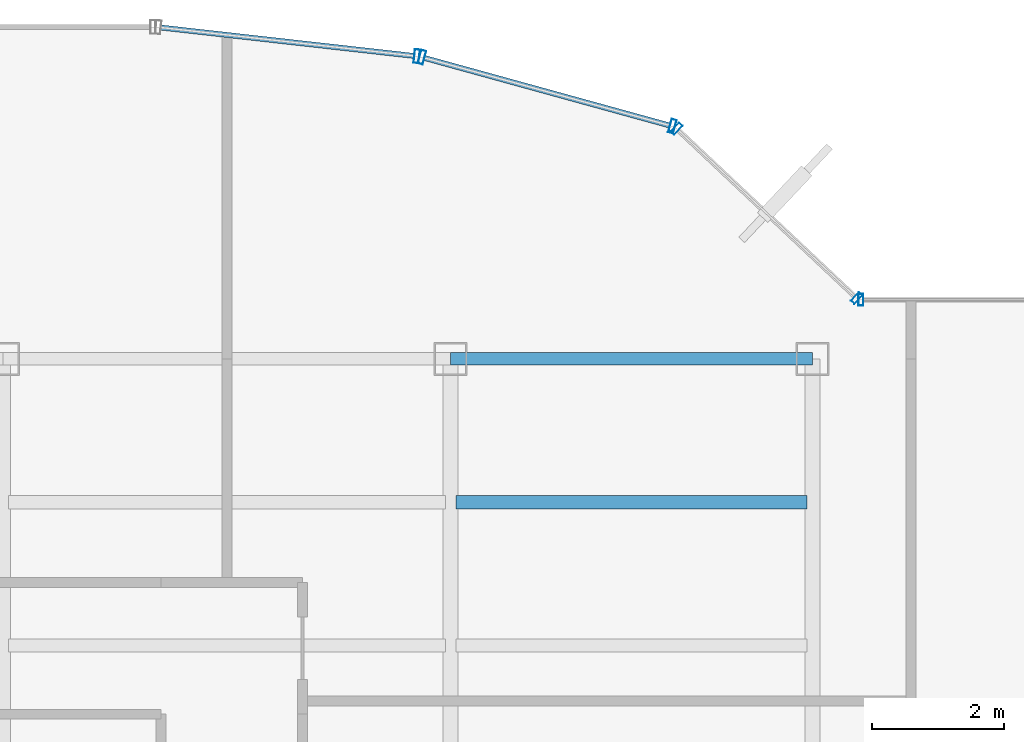
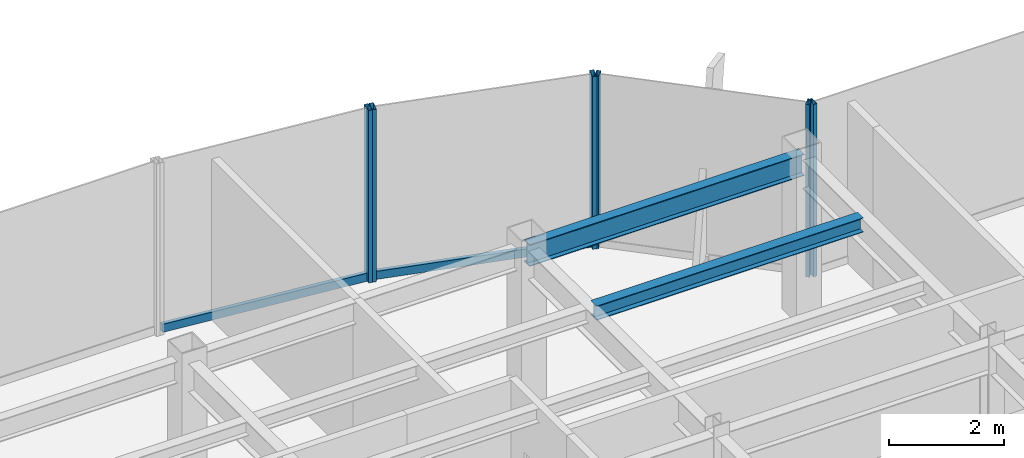
# One storey, part 14 of 22: 8 members, 2 beams, 4 elements without a shape of their own.
"""IFC4 building model written with IfcOpenShell, lengths in metres."""

from ifc_helpers import new_model, si_unit, derived_unit, direction, frame, origin, origin_2d, place, context, subcontext, project, spatial, hollow_rectangle, i_section, extrude, source, transform, mapped, material, material_profile, profile_set, type_object, element, aggregate, save


model = new_model("IFC4")

# Units and contexts
model_context = context("Model", 3, precision=1e-05, world=origin(), true_north=direction((0.0, 1.0)))
body_context = subcontext(model_context, "Body", "Model", "MODEL_VIEW")
ifc_project = project(units=[si_unit("LENGTHUNIT", "METRE"), si_unit("AREAUNIT", "SQUARE_METRE"), si_unit("VOLUMEUNIT", "CUBIC_METRE"), si_unit("PLANEANGLEUNIT", "RADIAN"), si_unit("MASSUNIT", "GRAM", prefix="KILO"), derived_unit("THERMALTRANSMITTANCEUNIT", [(si_unit("POWERUNIT", "WATT"), 1), (si_unit("LENGTHUNIT", "METRE"), -2), (si_unit("THERMODYNAMICTEMPERATUREUNIT", "KELVIN"), -1)])], contexts=[model_context])

# Site, building, storey
site_placement = place(None, origin())
site = spatial("IfcSite", under=ifc_project, at=site_placement, CompositionType="ELEMENT")
building_placement = place(site_placement, origin())
building = spatial("IfcBuilding", under=site, at=building_placement, Name="Skarnbrae Concourse Arena and Tower", CompositionType="ELEMENT")
storey_placement = place(building_placement, frame((0.0, 0.0, 255.14990234375)))
storey = spatial("IfcBuildingStorey", under=building, at=storey_placement, Name="L66", CompositionType="ELEMENT", Elevation=255.14990234375)

# Beams
ifc_material_1 = material(Name="Steel CSA G40.21 350W", Category="steel")
ifc_material_profile_1 = material_profile(ifc_material_1, i_section(OverallWidth=0.19091796875, OverallDepth=0.4599609375, WebThickness=0.010009765625, FlangeThickness=0.01611328125, at=origin_2d()), Name="W460X82")
ifc_profile_set_1 = profile_set([ifc_material_profile_1], Name="Steel CSA G40.21 350W")
beam_type_1 = type_object("IfcBeamType", Name="BM-SPAN-W460X82", PredefinedType="SPANDREL", material=ifc_profile_set_1)
shared_shape_1 = source(origin(), body_context, "Body", "SweptSolid", [
    extrude(i_section(OverallWidth=0.19091796875, OverallDepth=0.4599609375, WebThickness=0.010009765625, FlangeThickness=0.01611328125, at=origin_2d()), origin(), (0.0, 0.0, 1.0), 5.5),
])
beam_1_placement = place(storey_placement, frame((28.0, 34.39990234375, 3.170166015625), z_axis=(1.0, 0.0, 0.0), x_axis=(0.0, 1.0, 0.0)))
element("IfcBeam", 1, at=beam_1_placement, inside=storey, type_object=beam_type_1, Name="L66 Perimeter spandrel Y34.4-4", PredefinedType="SPANDREL", context=body_context, shape_type="MappedRepresentation", body=[
    mapped(shared_shape_1, transform((0.0, 0.0, 0.0))),
])
ifc_material_profile_2 = material_profile(ifc_material_1, i_section(OverallWidth=0.202880859375, OverallDepth=0.302978515625, WebThickness=0.007568359375, FlangeThickness=0.01318359375, at=origin_2d()), Name="W310X60")
ifc_profile_set_2 = profile_set([ifc_material_profile_2], Name="Steel CSA G40.21 350W")
beam_type_2 = type_object("IfcBeamType", Name="BM-JOIST-W310X60", PredefinedType="JOIST", material=ifc_profile_set_2)
shared_shape_2 = source(origin(), body_context, "Body", "SweptSolid", [
    extrude(i_section(OverallWidth=0.202880859375, OverallDepth=0.302978515625, WebThickness=0.007568359375, FlangeThickness=0.01318359375, at=origin_2d()), origin(), (0.0, 0.0, 1.0), 5.33984375),
])
beam_2_placement = place(storey_placement, frame((28.080078125, 32.221923828125, 3.24853515625), z_axis=(1.0, 0.0, 0.0), x_axis=(0.0, 1.0, 0.0)))
element("IfcBeam", 2, at=beam_2_placement, inside=storey, type_object=beam_type_2, Name="L66 Secondary floor joist 3.2.4", PredefinedType="JOIST", context=body_context, shape_type="MappedRepresentation", body=[
    mapped(shared_shape_2, transform((0.0, 0.0, 0.0))),
])

# Curtain wall, members
ifc_material_2 = material(Name="Bronze anodised aluminium 6063-T6", Category="aluminium")
curtain_wall_type_1 = type_object("IfcCurtainWallType", Name="CW-SYS-03-PORTAL", PredefinedType="USERDEFINED", material=ifc_material_2)
curtain_wall_1_placement = place(storey_placement, origin())
curtain_wall_1 = element("IfcCurtainWall", 3, at=curtain_wall_1_placement, inside=storey, type_object=curtain_wall_type_1, Name="L66 Unitised curtain wall CW-L66-E09", ObjectType="UNITISED CURTAIN WALL", PredefinedType="USERDEFINED")
ifc_material_profile_3 = material_profile(ifc_material_2, hollow_rectangle(XDim=0.080078125, YDim=0.2099609375, WallThickness=0.00439453125, at=origin_2d()), Name="ALU-MULL-80X210")
ifc_profile_set_3 = profile_set([ifc_material_profile_3], Name="Bronze anodised aluminium 6063-T6")
member_type_1 = type_object("IfcMemberType", Name="CWM-CW-03", PredefinedType="MULLION", material=ifc_profile_set_3)
shared_shape_3 = source(origin(), body_context, "Body", "SweptSolid", [
    extrude(hollow_rectangle(XDim=0.080078125, YDim=0.2099609375, WallThickness=0.00439453125, at=origin_2d()), origin(), (0.0, 0.0, 1.0), 3.650146484375),
])
member_1_placement = place(storey_placement, frame((31.37109375, 37.937255859375, 0.0), z_axis=(0.0, 0.0, 1.0), x_axis=(-0.964057388766, 0.265694093207, 0.0)))
member_1 = element("IfcMember", 4, at=member_1_placement, type_object=member_type_1, Name="CW-L66-E09 Mullion 1", PredefinedType="MULLION", context=body_context, shape_type="MappedRepresentation", body=[
    mapped(shared_shape_3, transform((0.0, 0.0, 0.0))),
])
member_2_placement = place(storey_placement, frame((27.564453125, 38.986572265625, 0.0), z_axis=(0.0, 0.0, 1.0), x_axis=(-0.964057388766, 0.265694093207, 0.0)))
member_2 = element("IfcMember", 5, at=member_2_placement, type_object=member_type_1, Name="CW-L66-E09 Mullion 2", PredefinedType="MULLION", context=body_context, shape_type="MappedRepresentation", body=[
    mapped(shared_shape_3, transform((0.0, 0.0, 0.0))),
])

# Curtain wall, member
curtain_wall_2_placement = place(storey_placement, origin())
curtain_wall_2 = element("IfcCurtainWall", 6, at=curtain_wall_2_placement, inside=storey, type_object=curtain_wall_type_1, Name="L66 Unitised curtain wall CW-L66-E10", ObjectType="UNITISED CURTAIN WALL", PredefinedType="USERDEFINED")
member_3_placement = place(storey_placement, frame((27.486083984375, 39.001708984375, 0.0), z_axis=(0.0, 0.0, 1.0), x_axis=(-0.993768891873, 0.111460259941, 0.0)))
member_3 = element("IfcMember", 7, at=member_3_placement, type_object=member_type_1, Name="CW-L66-E10 Mullion 1", PredefinedType="MULLION", context=body_context, shape_type="MappedRepresentation", body=[
    mapped(shared_shape_3, transform((0.0, 0.0, 0.0))),
])

curtain_wall_type_2 = type_object("IfcCurtainWallType", Name="CW-SYS-05-HIGHZONE", PredefinedType="USERDEFINED", material=ifc_material_2)
curtain_wall_3_placement = place(storey_placement, origin())
curtain_wall_3 = element("IfcCurtainWall", 8, at=curtain_wall_3_placement, inside=storey, type_object=curtain_wall_type_2, Name="L66 Unitised curtain wall CW-L66-E07", ObjectType="UNITISED CURTAIN WALL", PredefinedType="USERDEFINED")
ifc_material_profile_4 = material_profile(ifc_material_2, hollow_rectangle(XDim=0.074951171875, YDim=0.179931640625, WallThickness=0.00390625, at=origin_2d()), Name="ALU-MULL-75X180")
ifc_profile_set_4 = profile_set([ifc_material_profile_4], Name="Bronze anodised aluminium 6063-T6")
member_type_2 = type_object("IfcMemberType", Name="CWM-CW-05", PredefinedType="MULLION", material=ifc_profile_set_4)
shared_shape_4 = source(origin(), body_context, "Body", "SweptSolid", [
    extrude(hollow_rectangle(XDim=0.074951171875, YDim=0.179931640625, WallThickness=0.00390625, at=origin_2d()), origin(), (0.0, 0.0, 1.0), 3.650146484375),
])
member_4_placement = place(storey_placement, frame((34.237548828125, 35.300048828125, 0.0), z_axis=(0.0, 0.0, 1.0), x_axis=(-1.0, 0.0, 0.0)))
member_4 = element("IfcMember", 9, at=member_4_placement, type_object=member_type_2, Name="CW-L66-E07 Mullion 2", PredefinedType="MULLION", context=body_context, shape_type="MappedRepresentation", body=[
    mapped(shared_shape_4, transform((0.0, 0.0, 0.0))),
])
aggregate(curtain_wall_3, [member_4])

# Curtain wall, members
curtain_wall_4_placement = place(storey_placement, origin())
curtain_wall_4 = element("IfcCurtainWall", 10, at=curtain_wall_4_placement, inside=storey, type_object=curtain_wall_type_2, Name="L66 Unitised curtain wall CW-L66-E08", ObjectType="UNITISED CURTAIN WALL", PredefinedType="USERDEFINED")
member_5_placement = place(storey_placement, frame((34.172607421875, 35.32568359375, 0.0), z_axis=(0.0, 0.0, 1.0), x_axis=(-0.728130555214, 0.685438468838, 0.0)))
member_5 = element("IfcMember", 11, at=member_5_placement, type_object=member_type_2, Name="CW-L66-E08 Mullion 1", PredefinedType="MULLION", context=body_context, shape_type="MappedRepresentation", body=[
    mapped(shared_shape_4, transform((0.0, 0.0, 0.0))),
])
member_6_placement = place(storey_placement, frame((31.43701171875, 37.90087890625, 0.0), z_axis=(0.0, 0.0, 1.0), x_axis=(-0.728130555214, 0.685438468838, 0.0)))
member_6 = element("IfcMember", 12, at=member_6_placement, type_object=member_type_2, Name="CW-L66-E08 Mullion 2", PredefinedType="MULLION", context=body_context, shape_type="MappedRepresentation", body=[
    mapped(shared_shape_4, transform((0.0, 0.0, 0.0))),
])
aggregate(curtain_wall_4, [member_5, member_6])

# Member
ifc_material_profile_5 = material_profile(ifc_material_2, hollow_rectangle(XDim=0.080078125, YDim=0.169921875, WallThickness=0.00439453125, at=origin_2d()), Name="ALU-TRAN-80X170")
ifc_profile_set_5 = profile_set([ifc_material_profile_5], Name="Bronze anodised aluminium 6063-T6")
member_type_3 = type_object("IfcMemberType", Name="CWT-CW-03", PredefinedType="USERDEFINED", material=ifc_profile_set_5)
shared_shape_5 = source(origin(), body_context, "Body", "SweptSolid", [
    extrude(hollow_rectangle(XDim=0.080078125, YDim=0.169921875, WallThickness=0.00439453125, at=origin_2d()), origin(), (0.0, 0.0, 1.0), 3.86865234375),
])
member_7_placement = place(storey_placement, frame((31.33251953125, 37.947998046875, 0.085205078125), z_axis=(-0.964062872218, 0.265674195983, 0.0), x_axis=(-0.265674195983, -0.964062872218, 0.0)))
member_7 = element("IfcMember", 13, at=member_7_placement, type_object=member_type_3, Name="CW-L66-E09 Transom 1", ObjectType="TRANSOM", PredefinedType="USERDEFINED", context=body_context, shape_type="MappedRepresentation", body=[
    mapped(shared_shape_5, transform((0.0, 0.0, 0.0))),
])

aggregate(curtain_wall_1, [member_1, member_2, member_7])

shared_shape_6 = source(origin(), body_context, "Body", "SweptSolid", [
    extrude(hollow_rectangle(XDim=0.080078125, YDim=0.169921875, WallThickness=0.00439453125, at=origin_2d()), origin(), (0.0, 0.0, 1.0), 3.873779296875),
])
member_8_placement = place(storey_placement, frame((27.4462890625, 39.006103515625, 0.085205078125), z_axis=(-0.993772558096, 0.111427567397, 0.0), x_axis=(-0.111427567397, -0.993772558096, 0.0)))
member_8 = element("IfcMember", 14, at=member_8_placement, type_object=member_type_3, Name="CW-L66-E10 Transom 1", ObjectType="TRANSOM", PredefinedType="USERDEFINED", context=body_context, shape_type="MappedRepresentation", body=[
    mapped(shared_shape_6, transform((0.0, 0.0, 0.0))),
])

aggregate(curtain_wall_2, [member_3, member_8])

save(model, "model.ifc")
